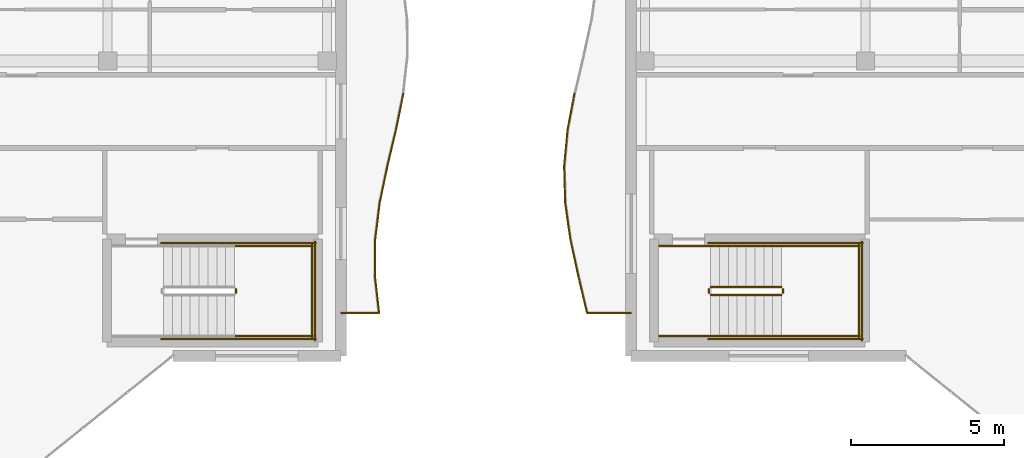
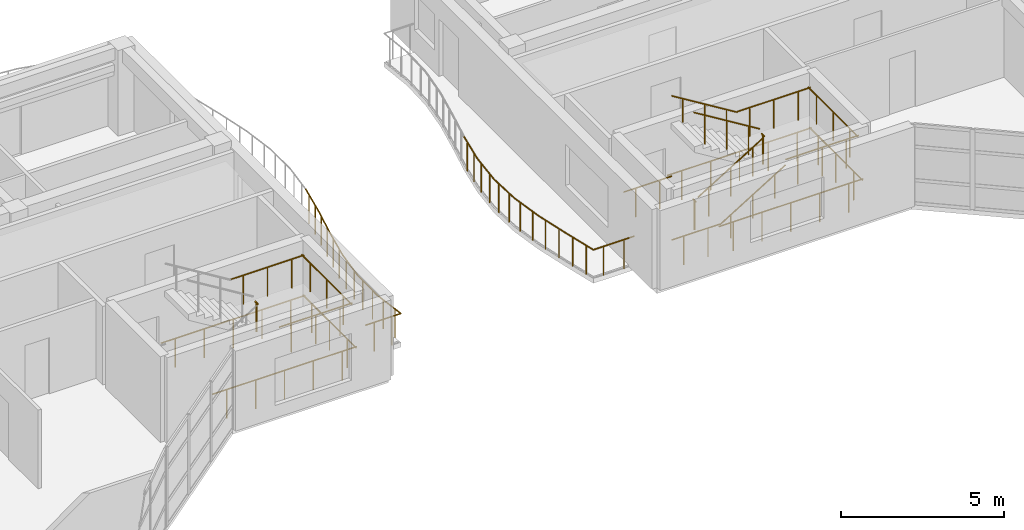
# One storey, part 76 of 79: 35 railings.
"""IFC4 building model written with IfcOpenShell, lengths in metres."""

from ifc_helpers import new_model, si_unit, direction, frame, origin, origin_2d, place, context, subcontext, project, spatial, circle, extrude, material, type_object, element, save


model = new_model("IFC4")

# Units and contexts
model_context = context("Model", 3, precision=1e-05, world=origin(), true_north=direction((0.0, 1.0)))
body_context = subcontext(model_context, "Body", "Model", "MODEL_VIEW")
ifc_project = project(units=[si_unit("LENGTHUNIT", "METRE"), si_unit("AREAUNIT", "SQUARE_METRE"), si_unit("VOLUMEUNIT", "CUBIC_METRE"), si_unit("PLANEANGLEUNIT", "RADIAN"), si_unit("MASSUNIT", "GRAM", prefix="KILO")], contexts=[model_context])

# Site, building, storey
site_placement = place(None, origin())
site = spatial("IfcSite", under=ifc_project, at=site_placement, CompositionType="ELEMENT")
building_placement = place(site_placement, origin())
building = spatial("IfcBuilding", under=site, at=building_placement, Name="Keldmere Railside Commons", CompositionType="ELEMENT")
storey_placement = place(building_placement, frame((0.0, 0.0, 10.56005859375)))
storey = spatial("IfcBuildingStorey", under=building, at=storey_placement, Name="L03", CompositionType="ELEMENT", Elevation=10.56005859375)

# Railings
ifc_material = material(Name="Steel F-24 (S235)", Category="steel")
railing_type_1 = type_object("IfcRailingType", Name="Balcony & Terrace Steel Balustrade 1100", PredefinedType="BALUSTRADE", material=ifc_material)
railing_1_placement = place(storey_placement, frame((137.5, 101.39990234375, 0.0)))
element("IfcRailing", 1, at=railing_1_placement, inside=storey, type_object=railing_type_1, Name="GR-1 GRD-L03-2198", PredefinedType="BALUSTRADE", context=body_context, shape_type="SweptSolid", body=[
    extrude(circle(Radius=0.02392578125, at=origin_2d()), frame((0.0, 0.0, 1.076171875), z_axis=(1.0, 0.0, 0.0), x_axis=(0.0, 1.0, 0.0)), (0.0, 0.0, 1.0), 1.252197265625),
    extrude(circle(Radius=0.02099609375, at=origin_2d()), frame((0.31298828125, 0.0, 0.0)), (0.0, 0.0, 1.0), 1.048095703125),
    extrude(circle(Radius=0.02099609375, at=origin_2d()), frame((0.939208984375, 0.0, 0.0)), (0.0, 0.0, 1.0), 1.048095703125),
])
railing_2_placement = place(storey_placement, frame((138.752197265625, 101.39990234375, 0.0)))
element("IfcRailing", 2, at=railing_2_placement, inside=storey, type_object=railing_type_1, Name="GR-1 GRD-L03-2199", PredefinedType="BALUSTRADE", context=body_context, shape_type="SweptSolid", body=[
    extrude(circle(Radius=0.02392578125, at=origin_2d()), frame((0.0, 0.0, 1.076171875), z_axis=(-0.113181775206, 0.993574298058, 0.0), x_axis=(-0.993574298058, -0.113181775206, 0.0)), (0.0, 0.0, 1.0), 1.2080078125),
    extrude(circle(Radius=0.02099609375, at=origin_2d()), frame((-0.0341796875, 0.300048828125, 0.0)), (0.0, 0.0, 1.0), 1.048095703125),
    extrude(circle(Radius=0.02099609375, at=origin_2d()), frame((-0.1025390625, 0.900146484375, 0.0)), (0.0, 0.0, 1.0), 1.048095703125),
])
railing_3_placement = place(storey_placement, frame((138.615478515625, 102.60009765625, 0.0)))
element("IfcRailing", 3, at=railing_3_placement, inside=storey, type_object=railing_type_1, Name="GR-1 GRD-L03-2200", PredefinedType="BALUSTRADE", context=body_context, shape_type="SweptSolid", body=[
    extrude(circle(Radius=0.02392578125, at=origin_2d()), frame((0.0, 0.0, 1.076171875), z_axis=(0.005696753948, 0.999983773366, 0.0), x_axis=(-0.999983773366, 0.005696753948, 0.0)), (0.0, 0.0, 1.0), 1.199951171875),
    extrude(circle(Radius=0.02099609375, at=origin_2d()), frame((0.001708984375, 0.300048828125, 0.0)), (0.0, 0.0, 1.0), 1.048095703125),
    extrude(circle(Radius=0.02099609375, at=origin_2d()), frame((0.005126953125, 0.89990234375, 0.0)), (0.0, 0.0, 1.0), 1.048095703125),
])
railing_4_placement = place(storey_placement, frame((138.622314453125, 103.800048828125, 0.0)))
element("IfcRailing", 4, at=railing_4_placement, inside=storey, type_object=railing_type_1, Name="GR-1 GRD-L03-2201", PredefinedType="BALUSTRADE", context=body_context, shape_type="SweptSolid", body=[
    extrude(circle(Radius=0.02392578125, at=origin_2d()), frame((0.0, 0.0, 1.076171875), z_axis=(0.12217050298, 0.992509127516, 0.0), x_axis=(-0.992509127516, 0.12217050298, 0.0)), (0.0, 0.0, 1.0), 1.208984375),
    extrude(circle(Radius=0.02099609375, at=origin_2d()), frame((0.036865234375, 0.300048828125, 0.0)), (0.0, 0.0, 1.0), 1.048095703125),
    extrude(circle(Radius=0.02099609375, at=origin_2d()), frame((0.11083984375, 0.89990234375, 0.0)), (0.0, 0.0, 1.0), 1.048095703125),
])
railing_5_placement = place(storey_placement, frame((138.77001953125, 105.0, 0.0)))
element("IfcRailing", 5, at=railing_5_placement, inside=storey, type_object=railing_type_1, Name="GR-1 GRD-L03-2202", PredefinedType="BALUSTRADE", context=body_context, shape_type="SweptSolid", body=[
    extrude(circle(Radius=0.02392578125, at=origin_2d()), frame((0.0, 0.0, 1.076171875), z_axis=(0.203962208122, 0.978978762618, 0.0), x_axis=(-0.978978762618, 0.203962208122, 0.0)), (0.0, 0.0, 1.0), 1.225830078125),
    extrude(circle(Radius=0.02099609375, at=origin_2d()), frame((0.0625, 0.300048828125, 0.0)), (0.0, 0.0, 1.0), 1.048095703125),
    extrude(circle(Radius=0.02099609375, at=origin_2d()), frame((0.1875, 0.89990234375, 0.0)), (0.0, 0.0, 1.0), 1.048095703125),
])
railing_6_placement = place(storey_placement, frame((139.02001953125, 106.199951171875, 0.0)))
element("IfcRailing", 6, at=railing_6_placement, inside=storey, type_object=railing_type_1, Name="GR-1 GRD-L03-2203", PredefinedType="BALUSTRADE", context=body_context, shape_type="SweptSolid", body=[
    extrude(circle(Radius=0.02392578125, at=origin_2d()), frame((0.0, 0.0, 1.076171875), z_axis=(0.230639039041, 0.973039379301, 0.0), x_axis=(-0.973039379301, 0.230639039041, 0.0)), (0.0, 0.0, 1.0), 1.233154296875),
    extrude(circle(Radius=0.02099609375, at=origin_2d()), frame((0.071044921875, 0.300048828125, 0.0)), (0.0, 0.0, 1.0), 1.048095703125),
    extrude(circle(Radius=0.02099609375, at=origin_2d()), frame((0.21337890625, 0.89990234375, 0.0)), (0.0, 0.0, 1.0), 1.048095703125),
])
railing_7_placement = place(storey_placement, frame((139.304443359375, 107.39990234375, 0.0)))
element("IfcRailing", 7, at=railing_7_placement, inside=storey, type_object=railing_type_1, Name="GR-1 GRD-L03-2204", PredefinedType="BALUSTRADE", context=body_context, shape_type="SweptSolid", body=[
    extrude(circle(Radius=0.02392578125, at=origin_2d()), frame((0.0, 0.0, 1.076171875), z_axis=(0.198760759903, 0.980048039804, 0.0), x_axis=(-0.980048039804, 0.198760759903, 0.0)), (0.0, 0.0, 1.0), 1.224609375),
    extrude(circle(Radius=0.02099609375, at=origin_2d()), frame((0.060791015625, 0.300048828125, 0.0)), (0.0, 0.0, 1.0), 1.048095703125),
    extrude(circle(Radius=0.02099609375, at=origin_2d()), frame((0.1826171875, 0.900146484375, 0.0)), (0.0, 0.0, 1.0), 1.048095703125),
])
railing_8_placement = place(storey_placement, frame((147.0, 101.39990234375, 0.0)))
element("IfcRailing", 8, at=railing_8_placement, inside=storey, type_object=railing_type_1, Name="GR-1 GRD-L03-3529", PredefinedType="BALUSTRADE", context=body_context, shape_type="SweptSolid", body=[
    extrude(circle(Radius=0.02392578125, at=origin_2d()), frame((0.0, 0.0, 1.076171875), z_axis=(-1.0, 0.0, 0.0), x_axis=(0.0, -1.0, 0.0)), (0.0, 0.0, 1.0), 1.4443359375),
    extrude(circle(Radius=0.02099609375, at=origin_2d()), frame((-0.361083984375, 0.0, 0.0)), (0.0, 0.0, 1.0), 1.048095703125),
    extrude(circle(Radius=0.02099609375, at=origin_2d()), frame((-1.083251953125, 0.0, 0.0)), (0.0, 0.0, 1.0), 1.048095703125),
])
railing_9_placement = place(storey_placement, frame((145.5556640625, 101.39990234375, 0.0)))
element("IfcRailing", 9, at=railing_9_placement, inside=storey, type_object=railing_type_1, Name="GR-1 GRD-L03-3530", PredefinedType="BALUSTRADE", context=body_context, shape_type="SweptSolid", body=[
    extrude(circle(Radius=0.02392578125, at=origin_2d()), frame((0.0, 0.0, 1.076171875), z_axis=(-0.229282118051, 0.973360010655, 0.0), x_axis=(-0.973360010655, -0.229282118051, 0.0)), (0.0, 0.0, 1.0), 1.233154296875),
    extrude(circle(Radius=0.02099609375, at=origin_2d()), frame((-0.07080078125, 0.300048828125, 0.0)), (0.0, 0.0, 1.0), 1.048095703125),
    extrude(circle(Radius=0.02099609375, at=origin_2d()), frame((-0.2119140625, 0.900146484375, 0.0)), (0.0, 0.0, 1.0), 1.048095703125),
])
railing_10_placement = place(storey_placement, frame((145.27294921875, 102.60009765625, 0.0)))
element("IfcRailing", 10, at=railing_10_placement, inside=storey, type_object=railing_type_1, Name="GR-1 GRD-L03-3531", PredefinedType="BALUSTRADE", context=body_context, shape_type="SweptSolid", body=[
    extrude(circle(Radius=0.02392578125, at=origin_2d()), frame((0.0, 0.0, 1.076171875), z_axis=(-0.213287820166, 0.976989409241, 0.0), x_axis=(-0.976989409241, -0.213287820166, 0.0)), (0.0, 0.0, 1.0), 1.228271484375),
    extrude(circle(Radius=0.02099609375, at=origin_2d()), frame((-0.0654296875, 0.300048828125, 0.0)), (0.0, 0.0, 1.0), 1.048095703125),
    extrude(circle(Radius=0.02099609375, at=origin_2d()), frame((-0.196533203125, 0.89990234375, 0.0)), (0.0, 0.0, 1.0), 1.048095703125),
])
railing_11_placement = place(storey_placement, frame((145.010986328125, 103.800048828125, 0.0)))
element("IfcRailing", 11, at=railing_11_placement, inside=storey, type_object=railing_type_1, Name="GR-1 GRD-L03-3532", PredefinedType="BALUSTRADE", context=body_context, shape_type="SweptSolid", body=[
    extrude(circle(Radius=0.02392578125, at=origin_2d()), frame((0.0, 0.0, 1.076171875), z_axis=(-0.14119576162, 0.989981695235, 0.0), x_axis=(-0.989981695235, -0.14119576162, 0.0)), (0.0, 0.0, 1.0), 1.212158203125),
    extrude(circle(Radius=0.02099609375, at=origin_2d()), frame((-0.042724609375, 0.300048828125, 0.0)), (0.0, 0.0, 1.0), 1.048095703125),
    extrude(circle(Radius=0.02099609375, at=origin_2d()), frame((-0.12841796875, 0.89990234375, 0.0)), (0.0, 0.0, 1.0), 1.048095703125),
])
railing_12_placement = place(storey_placement, frame((144.83984375, 105.0, 0.0)))
element("IfcRailing", 12, at=railing_12_placement, inside=storey, type_object=railing_type_1, Name="GR-1 GRD-L03-3533", PredefinedType="BALUSTRADE", context=body_context, shape_type="SweptSolid", body=[
    extrude(circle(Radius=0.02392578125, at=origin_2d()), frame((0.0, 0.0, 1.076171875), z_axis=(-0.028675893274, 0.999588762014, 0.0), x_axis=(-0.999588762014, -0.028675893274, 0.0)), (0.0, 0.0, 1.0), 1.200439453125),
    extrude(circle(Radius=0.02099609375, at=origin_2d()), frame((-0.008544921875, 0.300048828125, 0.0)), (0.0, 0.0, 1.0), 1.048095703125),
    extrude(circle(Radius=0.02099609375, at=origin_2d()), frame((-0.02587890625, 0.89990234375, 0.0)), (0.0, 0.0, 1.0), 1.048095703125),
])
railing_13_placement = place(storey_placement, frame((144.805419921875, 106.199951171875, 0.0)))
element("IfcRailing", 13, at=railing_13_placement, inside=storey, type_object=railing_type_1, Name="GR-1 GRD-L03-3534", PredefinedType="BALUSTRADE", context=body_context, shape_type="SweptSolid", body=[
    extrude(circle(Radius=0.02392578125, at=origin_2d()), frame((0.0, 0.0, 1.076171875), z_axis=(0.092581331108, 0.995705125592, 0.0), x_axis=(-0.995705125592, 0.092581331108, 0.0)), (0.0, 0.0, 1.0), 1.205078125),
    extrude(circle(Radius=0.02099609375, at=origin_2d()), frame((0.02783203125, 0.300048828125, 0.0)), (0.0, 0.0, 1.0), 1.048095703125),
    extrude(circle(Radius=0.02099609375, at=origin_2d()), frame((0.083740234375, 0.89990234375, 0.0)), (0.0, 0.0, 1.0), 1.048095703125),
])
railing_14_placement = place(storey_placement, frame((144.9169921875, 107.39990234375, 0.0)))
element("IfcRailing", 14, at=railing_14_placement, inside=storey, type_object=railing_type_1, Name="GR-1 GRD-L03-3535", PredefinedType="BALUSTRADE", context=body_context, shape_type="SweptSolid", body=[
    extrude(circle(Radius=0.02392578125, at=origin_2d()), frame((0.0, 0.0, 1.076171875), z_axis=(0.18607419311, 0.982535696379, 0.0), x_axis=(-0.982535696379, 0.18607419311, 0.0)), (0.0, 0.0, 1.0), 1.221435546875),
    extrude(circle(Radius=0.02099609375, at=origin_2d()), frame((0.056884765625, 0.300048828125, 0.0)), (0.0, 0.0, 1.0), 1.048095703125),
    extrude(circle(Radius=0.02099609375, at=origin_2d()), frame((0.17041015625, 0.900146484375, 0.0)), (0.0, 0.0, 1.0), 1.048095703125),
])
railing_type_2 = type_object("IfcRailingType", Name="Stair Well Steel Guardrail 1100", PredefinedType="BALUSTRADE", material=ifc_material)
railing_15_placement = place(storey_placement, frame((134.070068359375, 102.050048828125, 1.599853515625)))
element("IfcRailing", 15, at=railing_15_placement, inside=storey, type_object=railing_type_2, Name="L03 ST-B2 stair guard 2", PredefinedType="BALUSTRADE", context=body_context, shape_type="SweptSolid", body=[
    extrude(circle(Radius=0.02392578125, at=origin_2d()), frame((0.0, 0.0, 1.076171875), z_axis=(0.0, 1.0, 0.0), x_axis=(-1.0, 0.0, 0.0)), (0.0, 0.0, 1.0), 0.14990234375),
    extrude(circle(Radius=0.02099609375, at=origin_2d()), frame((0.0, 0.074951171875, 0.0)), (0.0, 0.0, 1.0), 1.048095703125),
])
for number, where, name in (
    (16, (134.02001953125, 100.64990234375, 1.599853515625), "L03 ST-B2 stair guard 3"),
    (17, (134.02001953125, 103.60009765625, 1.599853515625), "L03 ST-B2 stair guard 4"),
):
    element("IfcRailing", number, at=place(storey_placement, frame(where)), inside=storey, type_object=railing_type_2, Name=name, PredefinedType="BALUSTRADE", context=body_context, shape_type="SweptSolid", body=[
        extrude(circle(Radius=0.02392578125, at=origin_2d()), frame((0.0, 0.0, 1.076171875), z_axis=(1.0, 0.0, 0.0), x_axis=(0.0, 1.0, 0.0)), (0.0, 0.0, 1.0), 2.580078125),
        extrude(circle(Radius=0.02099609375, at=origin_2d()), frame((0.429931640625, 0.0, 0.0)), (0.0, 0.0, 1.0), 1.048095703125),
        extrude(circle(Radius=0.02099609375, at=origin_2d()), frame((1.2900390625, 0.0, 0.0)), (0.0, 0.0, 1.0), 1.048095703125),
        extrude(circle(Radius=0.02099609375, at=origin_2d()), frame((2.150146484375, 0.0, 0.0)), (0.0, 0.0, 1.0), 1.048095703125),
    ])
railing_16_placement = place(storey_placement, frame((136.550048828125, 100.60009765625, 1.599853515625)))
element("IfcRailing", 18, at=railing_16_placement, inside=storey, type_object=railing_type_2, Name="L03 ST-B2 stair guard 5", PredefinedType="BALUSTRADE", context=body_context, shape_type="SweptSolid", body=[
    extrude(circle(Radius=0.02392578125, at=origin_2d()), frame((0.0, 0.0, 1.076171875), z_axis=(0.0, 1.0, 0.0), x_axis=(-1.0, 0.0, 0.0)), (0.0, 0.0, 1.0), 3.0498046875),
    extrude(circle(Radius=0.02099609375, at=origin_2d()), frame((0.0, 0.50830078125, 0.0)), (0.0, 0.0, 1.0), 1.048095703125),
    extrude(circle(Radius=0.02099609375, at=origin_2d()), frame((0.0, 1.52490234375, 0.0)), (0.0, 0.0, 1.0), 1.048095703125),
    extrude(circle(Radius=0.02099609375, at=origin_2d()), frame((0.0, 2.54150390625, 0.0)), (0.0, 0.0, 1.0), 1.048095703125),
])
for number, where, name in (
    (19, (131.60009765625, 100.550048828125, 0.0), "L03 ST-B2 stair guard 10"),
    (20, (131.60009765625, 103.699951171875, 0.0), "L03 ST-B2 stair guard 11"),
):
    element("IfcRailing", number, at=place(storey_placement, frame(where)), inside=storey, type_object=railing_type_2, Name=name, PredefinedType="BALUSTRADE", context=body_context, shape_type="SweptSolid", body=[
        extrude(circle(Radius=0.02392578125, at=origin_2d()), frame((0.0, 0.0, 1.076171875), z_axis=(1.0, 0.0, 0.0), x_axis=(0.0, 1.0, 0.0)), (0.0, 0.0, 1.0), 5.099853515625),
        extrude(circle(Radius=0.02099609375, at=origin_2d()), frame((0.510009765625, 0.0, 0.0)), (0.0, 0.0, 1.0), 1.048095703125),
        extrude(circle(Radius=0.02099609375, at=origin_2d()), frame((1.530029296875, 0.0, 0.0)), (0.0, 0.0, 1.0), 1.048095703125),
        extrude(circle(Radius=0.02099609375, at=origin_2d()), frame((2.5498046875, 0.0, 0.0)), (0.0, 0.0, 1.0), 1.048095703125),
        extrude(circle(Radius=0.02099609375, at=origin_2d()), frame((3.56982421875, 0.0, 0.0)), (0.0, 0.0, 1.0), 1.048095703125),
        extrude(circle(Radius=0.02099609375, at=origin_2d()), frame((4.58984375, 0.0, 0.0)), (0.0, 0.0, 1.0), 1.048095703125),
    ])
railing_17_placement = place(storey_placement, frame((136.64990234375, 100.5, 0.0)))
element("IfcRailing", 21, at=railing_17_placement, inside=storey, type_object=railing_type_2, Name="L03 ST-B2 stair guard 12", PredefinedType="BALUSTRADE", context=body_context, shape_type="SweptSolid", body=[
    extrude(circle(Radius=0.02392578125, at=origin_2d()), frame((0.0, 0.0, 1.076171875), z_axis=(0.0, 1.0, 0.0), x_axis=(-1.0, 0.0, 0.0)), (0.0, 0.0, 1.0), 3.25),
    extrude(circle(Radius=0.02099609375, at=origin_2d()), frame((0.0, 0.541748046875, 0.0)), (0.0, 0.0, 1.0), 1.048095703125),
    extrude(circle(Radius=0.02099609375, at=origin_2d()), frame((0.0, 1.625, 0.0)), (0.0, 0.0, 1.0), 1.048095703125),
    extrude(circle(Radius=0.02099609375, at=origin_2d()), frame((0.0, 2.708251953125, 0.0)), (0.0, 0.0, 1.0), 1.048095703125),
])
railing_18_placement = place(storey_placement, frame((149.60009765625, 102.0, 0.177734375)))
element("IfcRailing", 22, at=railing_18_placement, inside=storey, type_object=railing_type_2, Name="L03 ST-A2 stair guard 1", PredefinedType="BALUSTRADE", context=body_context, shape_type="SweptSolid", body=[
    extrude(circle(Radius=0.02392578125, at=origin_2d()), frame((0.0, 0.0, 1.076171875), z_axis=(0.85255353654, 0.0, 0.522639902162), x_axis=(0.0, 1.0, 0.0)), (0.0, 0.0, 1.0), 2.720947265625),
    extrude(circle(Radius=0.02099609375, at=origin_2d()), frame((0.38671875, 0.0, 0.237060546875)), (0.0, 0.0, 1.0), 1.048095703125),
    extrude(circle(Radius=0.02099609375, at=origin_2d()), frame((1.159912109375, 0.0, 0.7109375)), (0.0, 0.0, 1.0), 1.048095703125),
    extrude(circle(Radius=0.02099609375, at=origin_2d()), frame((1.93310546875, 0.0, 1.18505859375)), (0.0, 0.0, 1.0), 1.048095703125),
])
railing_19_placement = place(storey_placement, frame((151.969970703125, 102.050048828125, 1.599853515625)))
element("IfcRailing", 23, at=railing_19_placement, inside=storey, type_object=railing_type_2, Name="L03 ST-A2 stair guard 2", PredefinedType="BALUSTRADE", context=body_context, shape_type="SweptSolid", body=[
    extrude(circle(Radius=0.02392578125, at=origin_2d()), frame((0.0, 0.0, 1.076171875), z_axis=(0.0, 1.0, 0.0), x_axis=(-1.0, 0.0, 0.0)), (0.0, 0.0, 1.0), 0.14990234375),
    extrude(circle(Radius=0.02099609375, at=origin_2d()), frame((0.0, 0.074951171875, 0.0)), (0.0, 0.0, 1.0), 1.048095703125),
])
for number, where, name in (
    (24, (151.919921875, 100.64990234375, 1.599853515625), "L03 ST-A2 stair guard 3"),
    (25, (151.919921875, 103.60009765625, 1.599853515625), "L03 ST-A2 stair guard 4"),
):
    element("IfcRailing", number, at=place(storey_placement, frame(where)), inside=storey, type_object=railing_type_2, Name=name, PredefinedType="BALUSTRADE", context=body_context, shape_type="SweptSolid", body=[
        extrude(circle(Radius=0.02392578125, at=origin_2d()), frame((0.0, 0.0, 1.076171875), z_axis=(1.0, 0.0, 0.0), x_axis=(0.0, 1.0, 0.0)), (0.0, 0.0, 1.0), 2.580078125),
        extrude(circle(Radius=0.02099609375, at=origin_2d()), frame((0.429931640625, 0.0, 0.0)), (0.0, 0.0, 1.0), 1.048095703125),
        extrude(circle(Radius=0.02099609375, at=origin_2d()), frame((1.2900390625, 0.0, 0.0)), (0.0, 0.0, 1.0), 1.048095703125),
        extrude(circle(Radius=0.02099609375, at=origin_2d()), frame((2.150146484375, 0.0, 0.0)), (0.0, 0.0, 1.0), 1.048095703125),
    ])
railing_20_placement = place(storey_placement, frame((154.449951171875, 100.60009765625, 1.599853515625)))
element("IfcRailing", 26, at=railing_20_placement, inside=storey, type_object=railing_type_2, Name="L03 ST-A2 stair guard 5", PredefinedType="BALUSTRADE", context=body_context, shape_type="SweptSolid", body=[
    extrude(circle(Radius=0.02392578125, at=origin_2d()), frame((0.0, 0.0, 1.076171875), z_axis=(0.0, 1.0, 0.0), x_axis=(-1.0, 0.0, 0.0)), (0.0, 0.0, 1.0), 3.0498046875),
    extrude(circle(Radius=0.02099609375, at=origin_2d()), frame((0.0, 0.50830078125, 0.0)), (0.0, 0.0, 1.0), 1.048095703125),
    extrude(circle(Radius=0.02099609375, at=origin_2d()), frame((0.0, 1.52490234375, 0.0)), (0.0, 0.0, 1.0), 1.048095703125),
    extrude(circle(Radius=0.02099609375, at=origin_2d()), frame((0.0, 2.54150390625, 0.0)), (0.0, 0.0, 1.0), 1.048095703125),
])
railing_21_placement = place(storey_placement, frame((151.919921875, 102.25, 1.77783203125)))
element("IfcRailing", 27, at=railing_21_placement, inside=storey, type_object=railing_type_2, Name="L03 ST-A2 stair guard 6", PredefinedType="BALUSTRADE", context=body_context, shape_type="SweptSolid", body=[
    extrude(circle(Radius=0.02392578125, at=origin_2d()), frame((0.0, 0.0, 1.076171875), z_axis=(-0.85255353654, 0.0, 0.522639902162), x_axis=(0.0, -1.0, 0.0)), (0.0, 0.0, 1.0), 2.720947265625),
    extrude(circle(Radius=0.02099609375, at=origin_2d()), frame((-0.38671875, 0.0, 0.237060546875)), (0.0, 0.0, 1.0), 1.048095703125),
    extrude(circle(Radius=0.02099609375, at=origin_2d()), frame((-1.159912109375, 0.0, 0.7109375)), (0.0, 0.0, 1.0), 1.048095703125),
    extrude(circle(Radius=0.02099609375, at=origin_2d()), frame((-1.93310546875, 0.0, 1.18505859375)), (0.0, 0.0, 1.0), 1.048095703125),
])
railing_22_placement = place(storey_placement, frame((149.550048828125, 102.050048828125, 0.0)))
element("IfcRailing", 28, at=railing_22_placement, inside=storey, type_object=railing_type_2, Name="L03 ST-A2 stair guard 7", PredefinedType="BALUSTRADE", context=body_context, shape_type="SweptSolid", body=[
    extrude(circle(Radius=0.02392578125, at=origin_2d()), frame((0.0, 0.0, 1.076171875), z_axis=(0.0, 1.0, 0.0), x_axis=(-1.0, 0.0, 0.0)), (0.0, 0.0, 1.0), 0.14990234375),
    extrude(circle(Radius=0.02099609375, at=origin_2d()), frame((0.0, 0.074951171875, 0.0)), (0.0, 0.0, 1.0), 1.048095703125),
])
for number, where, name in (
    (29, (147.89990234375, 100.64990234375, 0.0), "L03 ST-A2 stair guard 8"),
    (30, (147.89990234375, 103.60009765625, 0.0), "L03 ST-A2 stair guard 9"),
):
    element("IfcRailing", number, at=place(storey_placement, frame(where)), inside=storey, type_object=railing_type_2, Name=name, PredefinedType="BALUSTRADE", context=body_context, shape_type="SweptSolid", body=[
        extrude(circle(Radius=0.02392578125, at=origin_2d()), frame((0.0, 0.0, 1.076171875), z_axis=(1.0, 0.0, 0.0), x_axis=(0.0, 1.0, 0.0)), (0.0, 0.0, 1.0), 1.7001953125),
        extrude(circle(Radius=0.02099609375, at=origin_2d()), frame((0.425048828125, 0.0, 0.0)), (0.0, 0.0, 1.0), 1.048095703125),
        extrude(circle(Radius=0.02099609375, at=origin_2d()), frame((1.275146484375, 0.0, 0.0)), (0.0, 0.0, 1.0), 1.048095703125),
    ])
for number, where, name in (
    (31, (149.5, 100.550048828125, 0.0), "L03 ST-A2 stair guard 10"),
    (32, (149.5, 103.699951171875, 0.0), "L03 ST-A2 stair guard 11"),
):
    element("IfcRailing", number, at=place(storey_placement, frame(where)), inside=storey, type_object=railing_type_2, Name=name, PredefinedType="BALUSTRADE", context=body_context, shape_type="SweptSolid", body=[
        extrude(circle(Radius=0.02392578125, at=origin_2d()), frame((0.0, 0.0, 1.076171875), z_axis=(1.0, 0.0, 0.0), x_axis=(0.0, 1.0, 0.0)), (0.0, 0.0, 1.0), 5.10009765625),
        extrude(circle(Radius=0.02099609375, at=origin_2d()), frame((0.510009765625, 0.0, 0.0)), (0.0, 0.0, 1.0), 1.048095703125),
        extrude(circle(Radius=0.02099609375, at=origin_2d()), frame((1.530029296875, 0.0, 0.0)), (0.0, 0.0, 1.0), 1.048095703125),
        extrude(circle(Radius=0.02099609375, at=origin_2d()), frame((2.550048828125, 0.0, 0.0)), (0.0, 0.0, 1.0), 1.048095703125),
        extrude(circle(Radius=0.02099609375, at=origin_2d()), frame((3.570068359375, 0.0, 0.0)), (0.0, 0.0, 1.0), 1.048095703125),
        extrude(circle(Radius=0.02099609375, at=origin_2d()), frame((4.590087890625, 0.0, 0.0)), (0.0, 0.0, 1.0), 1.048095703125),
    ])
railing_23_placement = place(storey_placement, frame((154.550048828125, 100.5, 0.0)))
element("IfcRailing", 33, at=railing_23_placement, inside=storey, type_object=railing_type_2, Name="L03 ST-A2 stair guard 12", PredefinedType="BALUSTRADE", context=body_context, shape_type="SweptSolid", body=[
    extrude(circle(Radius=0.02392578125, at=origin_2d()), frame((0.0, 0.0, 1.076171875), z_axis=(0.0, 1.0, 0.0), x_axis=(-1.0, 0.0, 0.0)), (0.0, 0.0, 1.0), 3.25),
    extrude(circle(Radius=0.02099609375, at=origin_2d()), frame((0.0, 0.541748046875, 0.0)), (0.0, 0.0, 1.0), 1.048095703125),
    extrude(circle(Radius=0.02099609375, at=origin_2d()), frame((0.0, 1.625, 0.0)), (0.0, 0.0, 1.0), 1.048095703125),
    extrude(circle(Radius=0.02099609375, at=origin_2d()), frame((0.0, 2.708251953125, 0.0)), (0.0, 0.0, 1.0), 1.048095703125),
])
railing_type_3 = type_object("IfcRailingType", Name="Wall-Mounted Tubular Steel Handrail 900", PredefinedType="HANDRAIL", material=ifc_material)
railing_24_placement = place(storey_placement, frame((149.60009765625, 100.64990234375, 0.177734375)))
element("IfcRailing", 34, at=railing_24_placement, inside=storey, type_object=railing_type_3, Name="L03 ST-A2 stair handrail 1", PredefinedType="HANDRAIL", context=body_context, shape_type="SweptSolid", body=[
    extrude(circle(Radius=0.02392578125, at=origin_2d()), frame((0.0, 0.0, 0.8759765625), z_axis=(0.85255353654, 0.0, 0.522639902162), x_axis=(0.0, 1.0, 0.0)), (0.0, 0.0, 1.0), 2.720947265625),
    extrude(circle(Radius=0.02099609375, at=origin_2d()), frame((0.38671875, 0.0, 0.237060546875)), (0.0, 0.0, 1.0), 0.847900390625),
    extrude(circle(Radius=0.02099609375, at=origin_2d()), frame((1.159912109375, 0.0, 0.7109375)), (0.0, 0.0, 1.0), 0.847900390625),
    extrude(circle(Radius=0.02099609375, at=origin_2d()), frame((1.93310546875, 0.0, 1.18505859375)), (0.0, 0.0, 1.0), 0.847900390625),
])
railing_25_placement = place(storey_placement, frame((151.919921875, 103.60009765625, 1.77783203125)))
element("IfcRailing", 35, at=railing_25_placement, inside=storey, type_object=railing_type_3, Name="L03 ST-A2 stair handrail 2", PredefinedType="HANDRAIL", context=body_context, shape_type="SweptSolid", body=[
    extrude(circle(Radius=0.02392578125, at=origin_2d()), frame((0.0, 0.0, 0.8759765625), z_axis=(-0.85255353654, 0.0, 0.522639902162), x_axis=(0.0, -1.0, 0.0)), (0.0, 0.0, 1.0), 2.720947265625),
    extrude(circle(Radius=0.02099609375, at=origin_2d()), frame((-0.38671875, 0.0, 0.237060546875)), (0.0, 0.0, 1.0), 0.847900390625),
    extrude(circle(Radius=0.02099609375, at=origin_2d()), frame((-1.159912109375, 0.0, 0.7109375)), (0.0, 0.0, 1.0), 0.847900390625),
    extrude(circle(Radius=0.02099609375, at=origin_2d()), frame((-1.93310546875, 0.0, 1.18505859375)), (0.0, 0.0, 1.0), 0.847900390625),
])

save(model, "model.ifc")
